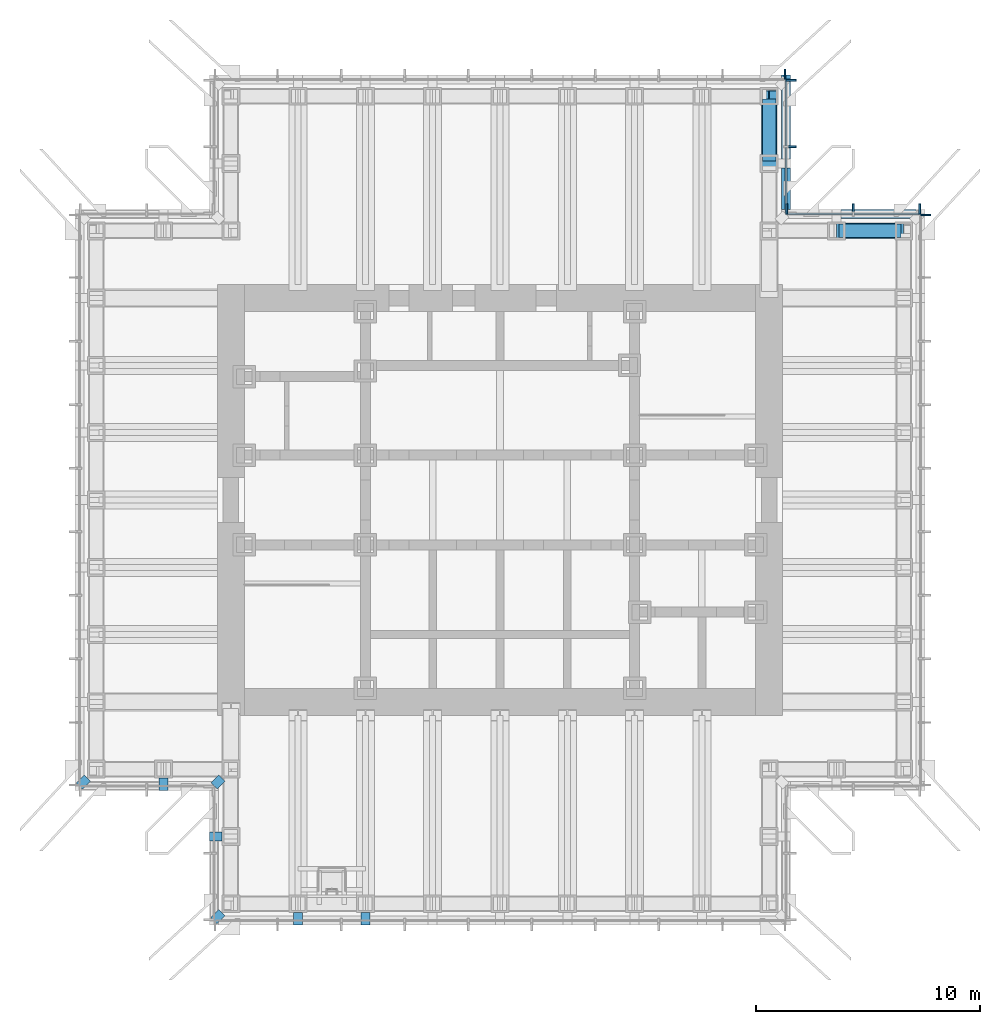
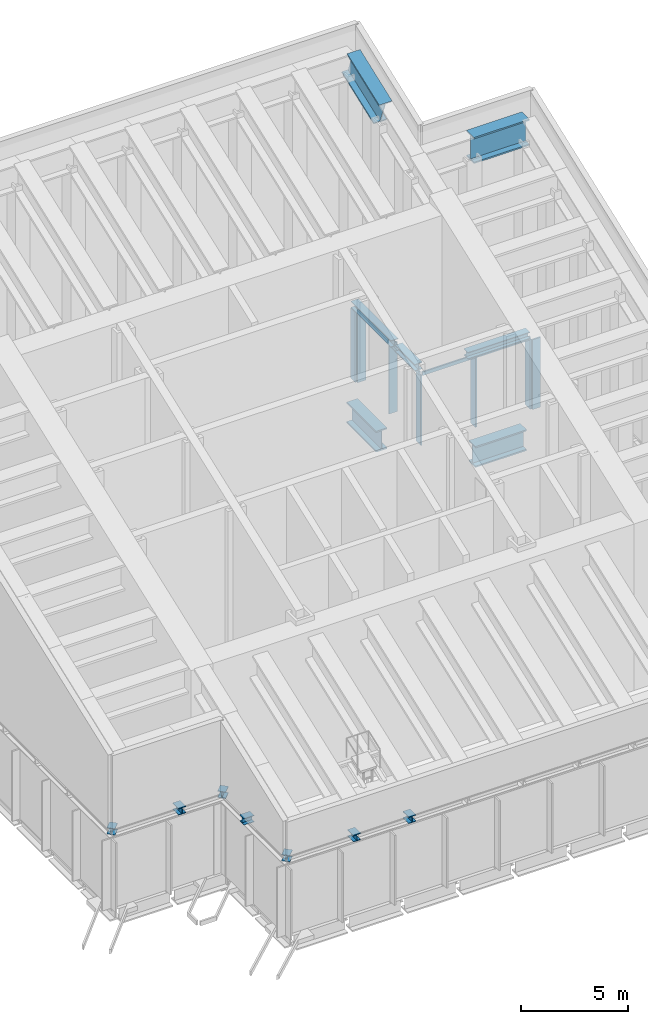
# One storey, part 7 of 15: 14 beams, 11 members, 4 elements without a shape of their own.
"""IFC4 building model written with IfcOpenShell, lengths in metres."""

from ifc_helpers import new_model, si_unit, direction, frame, origin, origin_2d, place, context, subcontext, project, spatial, rectangle, i_section, extrude, material, material_profile, profile_set, type_object, element, aggregate, save


model = new_model("IFC4")

# Units and contexts
model_context = context("Model", 3, precision=1e-05, world=origin(), true_north=direction((0.0, 1.0)))
body_context = subcontext(model_context, "Body", "Model", "MODEL_VIEW")
ifc_project = project(units=[si_unit("LENGTHUNIT", "METRE"), si_unit("AREAUNIT", "SQUARE_METRE"), si_unit("VOLUMEUNIT", "CUBIC_METRE"), si_unit("PLANEANGLEUNIT", "RADIAN"), si_unit("MASSUNIT", "GRAM", prefix="KILO")], contexts=[model_context])

# Site, building, storey
site_placement = place(None, origin())
site = spatial("IfcSite", under=ifc_project, at=site_placement, CompositionType="ELEMENT")
building_placement = place(site_placement, origin())
building = spatial("IfcBuilding", under=site, at=building_placement, Name="Daluyong Arena Tower", CompositionType="ELEMENT")
storey_placement = place(building_placement, frame((0.0, 0.0, 285.699951171875)))
storey = spatial("IfcBuildingStorey", under=building, at=storey_placement, Name="L64", CompositionType="ELEMENT", Elevation=285.699951171875)

# Curtain wall, member
ifc_material_1 = material(Name="Bronze anodised aluminium and glass", Category="aluminium")
curtain_wall_type = type_object("IfcCurtainWallType", Name="Curtain wall CW6", PredefinedType="USERDEFINED", material=ifc_material_1)
curtain_wall_1_placement = place(storey_placement, origin())
curtain_wall_1 = element("IfcCurtainWall", 1, at=curtain_wall_1_placement, inside=storey, type_object=curtain_wall_type, Name="crown louvre curtain wall L64 E", ObjectType="UNITISED CURTAIN WALL", PredefinedType="USERDEFINED")
ifc_material_2 = material(Name="Bronze anodised aluminium fin", Category="aluminium")
ifc_material_profile_1 = material_profile(ifc_material_2, rectangle(XDim=0.449951171875, YDim=0.080078125, at=origin_2d()))
ifc_profile_set_1 = profile_set([ifc_material_profile_1], Name="Bronze anodised aluminium fin")
member_type_1 = type_object("IfcMemberType", Name="CW6 bronze fin 450x80", PredefinedType="MULLION", material=ifc_profile_set_1)
member_1_placement = place(storey_placement, frame((74.97509765625, 92.7099609375, 0.0), z_axis=(0.0, 0.0, 1.0), x_axis=(-1.0, 0.0, 0.0)))
member_1 = element("IfcMember", 2, at=member_1_placement, type_object=member_type_1, Name="crown louvre curtain wall L64 E fin 10", PredefinedType="MULLION", context=body_context, shape_type="SweptSolid", body=[
    extrude(rectangle(XDim=0.449951171875, YDim=0.080078125, at=origin_2d()), origin(), (0.0, 0.0, 1.0), 4.0),
])
aggregate(curtain_wall_1, [member_1])

# Curtain wall, members
curtain_wall_2_placement = place(storey_placement, origin())
curtain_wall_2 = element("IfcCurtainWall", 3, at=curtain_wall_2_placement, inside=storey, type_object=curtain_wall_type, Name="crown louvre curtain wall L64 NE-N", ObjectType="UNITISED CURTAIN WALL", PredefinedType="USERDEFINED")
member_2_placement = place(storey_placement, frame((74.7099609375, 92.97509765625, 0.0), z_axis=(0.0, 0.0, 1.0), x_axis=(0.0, -1.0, 0.0)))
member_2 = element("IfcMember", 4, at=member_2_placement, type_object=member_type_1, Name="crown louvre curtain wall L64 NE-N fin 1", PredefinedType="MULLION", context=body_context, shape_type="SweptSolid", body=[
    extrude(rectangle(XDim=0.449951171875, YDim=0.080078125, at=origin_2d()), origin(), (0.0, 0.0, 1.0), 4.0),
])
member_3_placement = place(storey_placement, frame((71.75, 92.97509765625, 0.0), z_axis=(0.0, 0.0, 1.0), x_axis=(0.0, -1.0, 0.0)))
member_3 = element("IfcMember", 5, at=member_3_placement, type_object=member_type_1, Name="crown louvre curtain wall L64 NE-N fin 2", PredefinedType="MULLION", context=body_context, shape_type="SweptSolid", body=[
    extrude(rectangle(XDim=0.449951171875, YDim=0.080078125, at=origin_2d()), origin(), (0.0, 0.0, 1.0), 4.0),
])
member_4_placement = place(storey_placement, frame((68.7900390625, 92.97509765625, 0.0), z_axis=(0.0, 0.0, 1.0), x_axis=(0.0, -1.0, 0.0)))
member_4 = element("IfcMember", 6, at=member_4_placement, type_object=member_type_1, Name="crown louvre curtain wall L64 NE-N fin 3", PredefinedType="MULLION", context=body_context, shape_type="SweptSolid", body=[
    extrude(rectangle(XDim=0.449951171875, YDim=0.080078125, at=origin_2d()), origin(), (0.0, 0.0, 1.0), 4.0),
])

curtain_wall_3_placement = place(storey_placement, origin())
curtain_wall_3 = element("IfcCurtainWall", 7, at=curtain_wall_3_placement, inside=storey, type_object=curtain_wall_type, Name="crown louvre curtain wall L64 NE-E", ObjectType="UNITISED CURTAIN WALL", PredefinedType="USERDEFINED")
member_5_placement = place(storey_placement, frame((68.97509765625, 95.75, 0.0), z_axis=(0.0, 0.0, 1.0), x_axis=(-1.0, 0.0, 0.0)))
member_5 = element("IfcMember", 8, at=member_5_placement, type_object=member_type_1, Name="crown louvre curtain wall L64 NE-E fin 2", PredefinedType="MULLION", context=body_context, shape_type="SweptSolid", body=[
    extrude(rectangle(XDim=0.449951171875, YDim=0.080078125, at=origin_2d()), origin(), (0.0, 0.0, 1.0), 4.0),
])
member_6_placement = place(storey_placement, frame((68.97509765625, 98.7099609375, 0.0), z_axis=(0.0, 0.0, 1.0), x_axis=(-1.0, 0.0, 0.0)))
member_6 = element("IfcMember", 9, at=member_6_placement, type_object=member_type_1, Name="crown louvre curtain wall L64 NE-E fin 3", PredefinedType="MULLION", context=body_context, shape_type="SweptSolid", body=[
    extrude(rectangle(XDim=0.449951171875, YDim=0.080078125, at=origin_2d()), origin(), (0.0, 0.0, 1.0), 4.0),
])

# Curtain wall, member
curtain_wall_4_placement = place(storey_placement, origin())
curtain_wall_4 = element("IfcCurtainWall", 10, at=curtain_wall_4_placement, inside=storey, type_object=curtain_wall_type, Name="crown louvre curtain wall L64 N", ObjectType="UNITISED CURTAIN WALL", PredefinedType="USERDEFINED")
member_7_placement = place(storey_placement, frame((68.7099609375, 98.97509765625, 0.0), z_axis=(0.0, 0.0, 1.0), x_axis=(0.0, -1.0, 0.0)))
member_7 = element("IfcMember", 11, at=member_7_placement, type_object=member_type_1, Name="crown louvre curtain wall L64 N fin 1", PredefinedType="MULLION", context=body_context, shape_type="SweptSolid", body=[
    extrude(rectangle(XDim=0.449951171875, YDim=0.080078125, at=origin_2d()), origin(), (0.0, 0.0, 1.0), 4.0),
])
aggregate(curtain_wall_4, [member_7])

# Member
ifc_material_3 = material(Name="Bronze anodised aluminium", Category="aluminium")
ifc_material_profile_2 = material_profile(ifc_material_3, rectangle(XDim=0.080078125, YDim=0.199951171875, at=origin_2d()))
ifc_profile_set_2 = profile_set([ifc_material_profile_2], Name="Bronze anodised aluminium")
member_type_2 = type_object("IfcMemberType", Name="CW6 stack transom 200x80", PredefinedType="USERDEFINED", material=ifc_profile_set_2)
member_8_placement = place(storey_placement, frame((74.669921875, 92.75, 4.10009765625), z_axis=(-1.0, 0.0, 0.0), x_axis=(0.0, -1.0, 0.0)))
member_8 = element("IfcMember", 12, at=member_8_placement, type_object=member_type_2, Name="crown louvre curtain wall L64 NE-N transom 1", ObjectType="TRANSOM", PredefinedType="USERDEFINED", context=body_context, shape_type="SweptSolid", body=[
    extrude(rectangle(XDim=0.080078125, YDim=0.199951171875, at=origin_2d()), origin(), (0.0, 0.0, 1.0), 2.8798828125),
])

member_9_placement = place(storey_placement, frame((71.7099609375, 92.75, 4.10009765625), z_axis=(-1.0, 0.0, 0.0), x_axis=(0.0, -1.0, 0.0)))
member_9 = element("IfcMember", 13, at=member_9_placement, type_object=member_type_2, Name="crown louvre curtain wall L64 NE-N transom 2", ObjectType="TRANSOM", PredefinedType="USERDEFINED", context=body_context, shape_type="SweptSolid", body=[
    extrude(rectangle(XDim=0.080078125, YDim=0.199951171875, at=origin_2d()), origin(), (0.0, 0.0, 1.0), 2.8798828125),
])

aggregate(curtain_wall_2, [member_2, member_3, member_4, member_8, member_9])

member_10_placement = place(storey_placement, frame((68.75, 92.830078125, 4.10009765625), z_axis=(0.0, 1.0, 0.0), x_axis=(-1.0, 0.0, 0.0)))
member_10 = element("IfcMember", 14, at=member_10_placement, type_object=member_type_2, Name="crown louvre curtain wall L64 NE-E transom 1", ObjectType="TRANSOM", PredefinedType="USERDEFINED", context=body_context, shape_type="SweptSolid", body=[
    extrude(rectangle(XDim=0.080078125, YDim=0.199951171875, at=origin_2d()), origin(), (0.0, 0.0, 1.0), 2.8798828125),
])

member_11_placement = place(storey_placement, frame((68.75, 95.7900390625, 4.10009765625), z_axis=(0.0, 1.0, 0.0), x_axis=(-1.0, 0.0, 0.0)))
member_11 = element("IfcMember", 15, at=member_11_placement, type_object=member_type_2, Name="crown louvre curtain wall L64 NE-E transom 2", ObjectType="TRANSOM", PredefinedType="USERDEFINED", context=body_context, shape_type="SweptSolid", body=[
    extrude(rectangle(XDim=0.080078125, YDim=0.199951171875, at=origin_2d()), origin(), (0.0, 0.0, 1.0), 2.8798828125),
])

aggregate(curtain_wall_3, [member_5, member_6, member_10, member_11])

# Beams
ifc_material_4 = material(Name="Steel ASTM A992 Grade 50", Category="steel")
ifc_material_profile_3 = material_profile(ifc_material_4, i_section(OverallWidth=0.398681640625, OverallDepth=0.385986328125, WebThickness=0.02099609375, FlangeThickness=0.033203125, at=origin_2d()))
ifc_profile_set_3 = profile_set([ifc_material_profile_3], Name="Steel ASTM A992 Grade 50")
beam_type_1 = type_object("IfcBeamType", Name="Crown louvre bracket W14X176", PredefinedType="BEAM", material=ifc_profile_set_3)
for number, where, z_axis, x_axis, name in (
    (16, (47.0, 61.60009765625, 4.39306640625), (0.0, -1.0, 0.0), (1.0, 0.0, 0.0), "crown louvre bracket LB1"),
    (17, (50.0, 61.60009765625, 4.39306640625), (0.0, -1.0, 0.0), (1.0, 0.0, 0.0), "crown louvre bracket LB1"),
    (18, (41.0, 67.60009765625, 4.39306640625), (0.0, -1.0, 0.0), (1.0, 0.0, 0.0), "crown louvre bracket LB1"),
    (19, (43.60009765625, 65.0, 4.39306640625), (-1.0, 0.0, 0.0), (0.0, -1.0, 0.0), "crown louvre bracket LB1"),
):
    element("IfcBeam", number, at=place(storey_placement, frame(where, z_axis=z_axis, x_axis=x_axis)), inside=storey, type_object=beam_type_1, Name=name, PredefinedType="BEAM", context=body_context, shape_type="SweptSolid", body=[
        extrude(i_section(OverallWidth=0.398681640625, OverallDepth=0.385986328125, WebThickness=0.02099609375, FlangeThickness=0.033203125, at=origin_2d()), origin(), (0.0, 0.0, 1.0), 0.549560546875),
    ])
for number, where, z_axis, x_axis, name in (
    (20, (43.60009765625, 61.60009765625, 4.39306640625), (-0.707106781187, -0.707106781187, 0.0), (0.707106781187, -0.707106781187, 0.0), "crown louvre bracket LB1"),
    (21, (37.60009765625, 67.60009765625, 4.39306640625), (-0.707106781187, -0.707106781187, 0.0), (0.707106781187, -0.707106781187, 0.0), "crown louvre bracket LB1"),
    (22, (43.60009765625, 67.60009765625, 4.39306640625), (-0.707106781187, -0.707106781187, 0.0), (0.707106781187, -0.707106781187, 0.0), "crown louvre bracket LB1"),
):
    element("IfcBeam", number, at=place(storey_placement, frame(where, z_axis=z_axis, x_axis=x_axis)), inside=storey, type_object=beam_type_1, Name=name, PredefinedType="BEAM", context=body_context, shape_type="SweptSolid", body=[
        extrude(i_section(OverallWidth=0.398681640625, OverallDepth=0.385986328125, WebThickness=0.02099609375, FlangeThickness=0.033203125, at=origin_2d()), origin(), (0.0, 0.0, 1.0), 0.4951171875),
    ])
ifc_material_5 = material(Name="Steel ASTM A992 Grade 50", Category="steel")
ifc_material_profile_4 = material_profile(ifc_material_5, i_section(OverallWidth=0.398681640625, OverallDepth=0.385986328125, WebThickness=0.02099609375, FlangeThickness=0.033203125, at=origin_2d()))
ifc_profile_set_4 = profile_set([ifc_material_profile_4], Name="Steel ASTM A992 Grade 50")
beam_type_2 = type_object("IfcBeamType", Name="Crown louvre support beam W14X176", PredefinedType="BEAM", material=ifc_profile_set_4)
beam_1_placement = place(storey_placement, frame((74.550537109375, 92.75, 4.39306640625), z_axis=(-1.0, 0.0, 0.0), x_axis=(0.0, -1.0, 0.0)))
element("IfcBeam", 23, at=beam_1_placement, inside=storey, type_object=beam_type_2, Name="crown louvre support beam LS1", PredefinedType="BEAM", context=body_context, shape_type="SweptSolid", body=[
    extrude(i_section(OverallWidth=0.398681640625, OverallDepth=0.385986328125, WebThickness=0.02099609375, FlangeThickness=0.033203125, at=origin_2d()), origin(), (0.0, 0.0, 1.0), 3.35107421875),
])
beam_2_placement = place(storey_placement, frame((68.75, 92.949462890625, 4.39306640625), z_axis=(0.0, 1.0, 0.0), x_axis=(-1.0, 0.0, 0.0)))
element("IfcBeam", 24, at=beam_2_placement, inside=storey, type_object=beam_type_2, Name="crown louvre support beam LS1", PredefinedType="BEAM", context=body_context, shape_type="SweptSolid", body=[
    extrude(i_section(OverallWidth=0.398681640625, OverallDepth=0.385986328125, WebThickness=0.02099609375, FlangeThickness=0.033203125, at=origin_2d()), origin(), (0.0, 0.0, 1.0), 1.85107421875),
])
beam_3_placement = place(storey_placement, frame((68.75, 95.199462890625, 4.39306640625), z_axis=(0.0, 1.0, 0.0), x_axis=(-1.0, 0.0, 0.0)))
element("IfcBeam", 25, at=beam_3_placement, inside=storey, type_object=beam_type_2, Name="crown louvre support beam LS1", PredefinedType="BEAM", context=body_context, shape_type="SweptSolid", body=[
    extrude(i_section(OverallWidth=0.398681640625, OverallDepth=0.385986328125, WebThickness=0.02099609375, FlangeThickness=0.033203125, at=origin_2d()), origin(), (0.0, 0.0, 1.0), 3.75),
])
ifc_material_6 = material(Name="Steel ASTM A572 Grade 50", Category="steel")
ifc_material_profile_5 = material_profile(ifc_material_6, i_section(OverallWidth=0.699951171875, OverallDepth=1.5, WebThickness=0.04, FlangeThickness=0.08, at=origin_2d()))
ifc_profile_set_5 = profile_set([ifc_material_profile_5], Name="Steel ASTM A572 Grade 50")
beam_type_3 = type_object("IfcBeamType", Name="Crown roof edge beam PG1500X700", PredefinedType="SPANDREL", material=ifc_profile_set_5)
beam_4_placement = place(storey_placement, frame((74.0, 92.0, 16.762451171875), z_axis=(-1.0, 0.0, 0.0), x_axis=(0.0, -1.0, 0.0)))
element("IfcBeam", 26, at=beam_4_placement, inside=storey, type_object=beam_type_3, Name="crown roof edge beam RB1", PredefinedType="SPANDREL", context=body_context, shape_type="SweptSolid", body=[
    extrude(i_section(OverallWidth=0.699951171875, OverallDepth=1.5, WebThickness=0.04, FlangeThickness=0.08, at=origin_2d()), origin(), (0.0, 0.0, 1.0), 3.0),
])
beam_5_placement = place(storey_placement, frame((68.0, 95.0, 17.96875), z_axis=(0.0, 0.936228943712, 0.351390615918), x_axis=(-1.0, 0.0, 0.0)))
element("IfcBeam", 27, at=beam_5_placement, inside=storey, type_object=beam_type_3, Name="crown roof edge beam RB1", PredefinedType="SPANDREL", context=body_context, shape_type="SweptSolid", body=[
    extrude(i_section(OverallWidth=0.699951171875, OverallDepth=1.5, WebThickness=0.04, FlangeThickness=0.08, at=origin_2d()), origin(), (0.0, 0.0, 1.0), 3.204345703125),
])
ifc_material_7 = material(Name="Steel ASTM A572 Grade 50", Category="steel")
ifc_material_profile_6 = material_profile(ifc_material_7, i_section(OverallWidth=0.60009765625, OverallDepth=1.199951171875, WebThickness=0.03, FlangeThickness=0.08, at=origin_2d()))
ifc_profile_set_6 = profile_set([ifc_material_profile_6], Name="Steel ASTM A572 Grade 50")
beam_type_4 = type_object("IfcBeamType", Name="Spandrel ZC PG1200X600", PredefinedType="SPANDREL", material=ifc_profile_set_6)
for number, where, z_axis, x_axis, name in (
    (28, (73.885009765625, 92.0, -0.849853515625), (-1.0, 0.0, 0.0), (0.0, -1.0, 0.0), "spandrel zc SB10"),
    (29, (68.0, 95.114990234375, -0.849853515625), (0.0, 1.0, 0.0), (-1.0, 0.0, 0.0), "spandrel zc SB10"),
):
    element("IfcBeam", number, at=place(storey_placement, frame(where, z_axis=z_axis, x_axis=x_axis)), inside=storey, type_object=beam_type_4, Name=name, PredefinedType="SPANDREL", context=body_context, shape_type="SweptSolid", body=[
        extrude(i_section(OverallWidth=0.60009765625, OverallDepth=1.199951171875, WebThickness=0.03, FlangeThickness=0.08, at=origin_2d()), origin(), (0.0, 0.0, 1.0), 2.77001953125),
    ])

save(model, "model.ifc")
